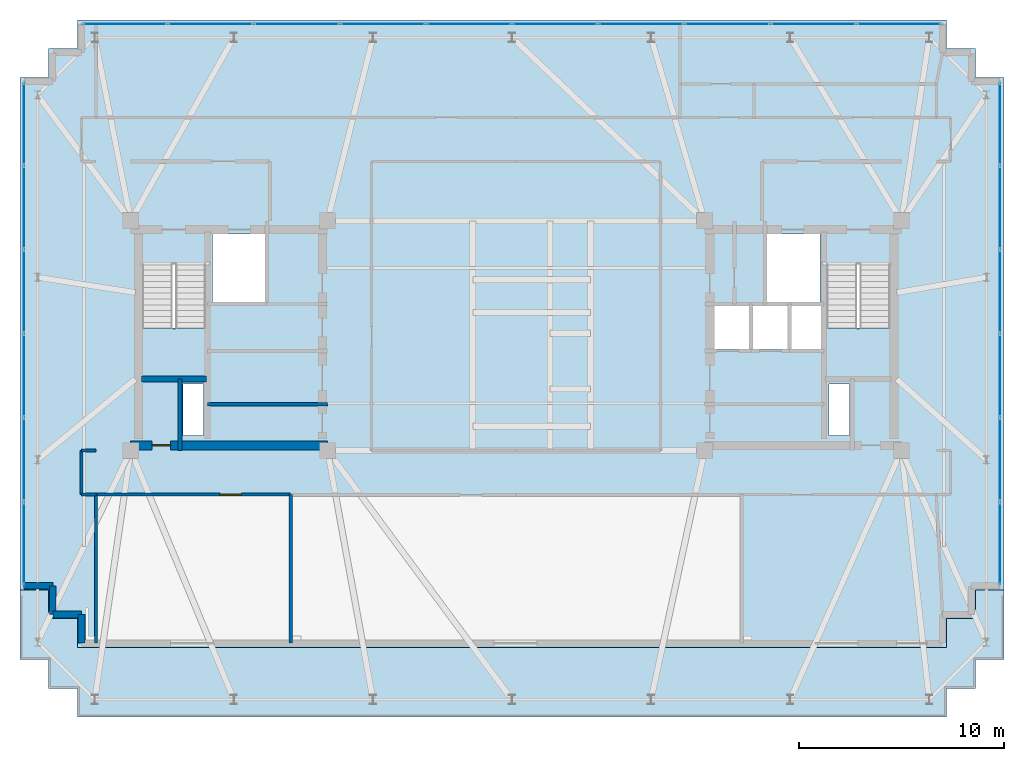
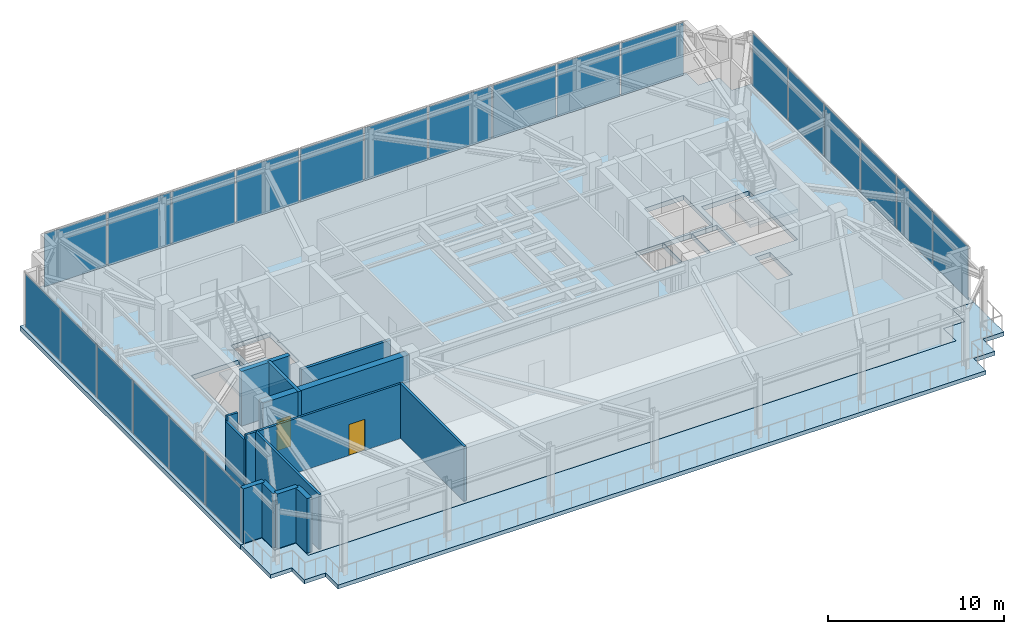
# One storey, part 18 of 24: 22 plates, 14 walls, 4 slabs, 2 doors, 2 openings, 5 elements without a shape of their own.
"""IFC4 building model written with IfcOpenShell, lengths in metres."""

import ifcopenshell
import ifcopenshell.guid

model = None  # the IFC model being written
_history = None  # IfcOwnerHistory: only IFC2X3 demands one
_inside = {}  # id of a spatial element -> (the spatial element, [elements in it])
_under = {}  # id of a project, library or spatial element -> (it, [spatial elements below it])
_declared = {}  # id of a project -> (the project, [libraries it declares])
_typed = {}  # id of a type object -> (the type object, [elements of that type])
_made_of = {}  # id of a material, layer set ... -> (it, [elements and type objects made of it])


def new_model(schema):
    """Start an empty IFC model of exactly this schema.

    Asked for "IFC4X3", IfcOpenShell would pick the latest addendum, in which some entities
    have other attributes; the version numbers below select the first issue.
    IFC2X3 requires an IfcOwnerHistory on every rooted entity: one is made here for all.
    """
    global model, _history
    if schema == "IFC4X3":
        model = ifcopenshell.file(schema_version=(4, 3, 0, 0))
    else:
        model = ifcopenshell.file(schema=schema)
    _inside.clear()
    _under.clear()
    _declared.clear()
    _typed.clear()
    _made_of.clear()
    _history = None
    if model.schema == "IFC2X3":
        org = make("IfcOrganization", Name="unknown")
        user = make(
            "IfcPersonAndOrganization",
            ThePerson=make("IfcPerson", FamilyName="unknown"),
            TheOrganization=org,
        )
        app = make(
            "IfcApplication",
            ApplicationDeveloper=org,
            Version="unknown",
            ApplicationFullName="unknown",
            ApplicationIdentifier="unknown",
        )
        _history = make(
            "IfcOwnerHistory",
            OwningUser=user,
            OwningApplication=app,
            ChangeAction="ADDED",
            CreationDate=0,
        )
    return model


def make(cls, **values):
    """One entity of the class cls with the attributes given. An attribute that is None is left unset."""
    return model.create_entity(
        cls, **{name: value for name, value in values.items() if value is not None}
    )


def rooted(cls, **values):
    """An entity with a GlobalId (a new one), such as an element, a storey or a relation."""
    return make(cls, GlobalId=ifcopenshell.guid.new(), OwnerHistory=_history, **values)


def si_unit(unit_type, name, prefix=None):
    """IfcSIUnit, for example si_unit("LENGTHUNIT", "METRE", prefix="MILLI")."""
    return make("IfcSIUnit", UnitType=unit_type, Prefix=prefix, Name=name)


def assignment(units):
    """IfcUnitAssignment: the units of a project."""
    return None if units is None else make("IfcUnitAssignment", Units=units)


def point(xyz):
    """IfcCartesianPoint."""
    return None if xyz is None else make("IfcCartesianPoint", Coordinates=xyz)


def direction(xyz):
    """IfcDirection."""
    return None if xyz is None else make("IfcDirection", DirectionRatios=xyz)


def frame(location, z_axis=None, x_axis=None):
    """IfcAxis2Placement3D, a coordinate frame: its origin and axes. An axis left out is left unset."""
    return make(
        "IfcAxis2Placement3D",
        Location=point(location),
        Axis=direction(z_axis),
        RefDirection=direction(x_axis),
    )


def frame_2d(location, x_axis=None):
    """IfcAxis2Placement2D, a coordinate frame in the plane: its origin and x axis."""
    return make(
        "IfcAxis2Placement2D", Location=point(location), RefDirection=direction(x_axis)
    )


def origin():
    """The frame at (0, 0, 0) with its axes left unset."""
    return frame((0.0, 0.0, 0.0))


def origin_2d():
    """The frame at (0, 0) in the plane with its x axis left unset."""
    return frame_2d((0.0, 0.0))


def place(relative_to, where):
    """IfcLocalPlacement: puts the frame where relative to a parent placement (None: the world)."""
    return make(
        "IfcLocalPlacement", PlacementRelTo=relative_to, RelativePlacement=where
    )


def context(
    kind, dimensions, precision=None, world=None, true_north=None, identifier=None
):
    """IfcGeometricRepresentationContext, for example the 3D "Model" context."""
    return make(
        "IfcGeometricRepresentationContext",
        ContextIdentifier=identifier,
        ContextType=kind,
        CoordinateSpaceDimension=dimensions,
        Precision=precision,
        WorldCoordinateSystem=world,
        TrueNorth=true_north,
    )


def subcontext(parent, identifier, kind, view, scale=None):
    """IfcGeometricRepresentationSubContext, for example "Body" below "Model"."""
    return make(
        "IfcGeometricRepresentationSubContext",
        ContextIdentifier=identifier,
        ContextType=kind,
        ParentContext=parent,
        TargetScale=scale,
        TargetView=view,
    )


def project(units=None, contexts=None):
    """IfcProject with its units and contexts."""
    return rooted(
        "IfcProject",
        Name="project",
        RepresentationContexts=contexts,
        UnitsInContext=assignment(units),
    )


def spatial(cls, under=None, at=None, **own):
    """A site, building, storey or space (cls), placed at a placement, below another one or the project."""
    s = rooted(cls, ObjectPlacement=at, **own)
    if under is not None:
        _under.setdefault(under.id(), (under, []))[1].append(s)
    return s


def polyline(points):
    """IfcPolyline through the points."""
    return make("IfcPolyline", Points=[point(p) for p in points])


def profile(cls, at=None, kind="AREA", **sizes):
    """A parametric profile (cls). Its sizes go by their IFC names, for example OverallWidth=200.0."""
    return make(cls, ProfileType=kind, Position=at, **sizes)


def rectangle(**sizes):
    """IfcRectangleProfileDef."""
    return profile("IfcRectangleProfileDef", **sizes)


def outline(outer, holes=None, kind="AREA"):
    """IfcArbitraryClosedProfileDef: a profile drawn as a closed curve; with holes, ...WithVoids."""
    if holes is None:
        return make("IfcArbitraryClosedProfileDef", ProfileType=kind, OuterCurve=outer)
    return make(
        "IfcArbitraryProfileDefWithVoids",
        ProfileType=kind,
        OuterCurve=outer,
        InnerCurves=holes,
    )


def extrude(swept, where, along, depth):
    """IfcExtrudedAreaSolid: the profile swept, set in the frame where, extruded along a direction by depth."""
    return make(
        "IfcExtrudedAreaSolid",
        SweptArea=swept,
        Position=where,
        ExtrudedDirection=direction(along),
        Depth=depth,
    )


def shape(context_of_items, identifier, shape_type, items):
    """IfcShapeRepresentation: the items that make up one representation, for example the "Body"."""
    return make(
        "IfcShapeRepresentation",
        ContextOfItems=context_of_items,
        RepresentationIdentifier=identifier,
        RepresentationType=shape_type,
        Items=items,
    )


def material(Name=None, Category=None):
    """IfcMaterial."""
    return make("IfcMaterial", Name=Name, Category=Category)


def layer(
    of_material, thickness, ventilated=None, Name=None, Category=None, Priority=None
):
    """IfcMaterialLayer: one layer of a wall or slab, of a material (None: an air gap)."""
    return make(
        "IfcMaterialLayer",
        Material=of_material,
        LayerThickness=thickness,
        IsVentilated=ventilated,
        Name=Name,
        Category=Category,
        Priority=Priority,
    )


def layer_set(layers, Name=None):
    """IfcMaterialLayerSet."""
    return make("IfcMaterialLayerSet", MaterialLayers=layers, LayerSetName=Name)


def made_of(thing, what):
    """Note that an element or type object is made of a material, layer set ...; save() writes the relation."""
    if what is not None:
        _made_of.setdefault(what.id(), (what, []))[1].append(thing)
    return thing


def type_object(cls, material=None, **own):
    """A type object (cls), such as IfcWallType, which elements share."""
    return made_of(rooted(cls, **own), material)


def element(
    cls,
    number,
    at=None,
    inside=None,
    cuts=None,
    type_object=None,
    material=None,
    context=None,
    identifier="Body",
    shape_type=None,
    held_by="IfcProductDefinitionShape",
    body=None,
    shapes=None,
    **own,
):
    """One element of the class cls, such as IfcWall. Its Tag is "e" and its number.

    at: its placement. inside: the storey or other place that contains it. cuts: it is an
    opening in that element (IfcRelVoidsElement). A single representation is given by context,
    identifier, shape_type and body (its items); several are given by shapes. held_by: the class
    of the entity that holds the representations. save() writes the other relations.
    """
    e = rooted(cls, Tag="e%d" % number, ObjectPlacement=at, **own)
    if body is not None:
        shapes = [shape(context, identifier, shape_type, body)]
    if shapes is not None:
        e.Representation = make(held_by, Representations=shapes)
    if inside is not None:
        _inside.setdefault(inside.id(), (inside, []))[1].append(e)
    if cuts is not None:
        rooted(
            "IfcRelVoidsElement", RelatingBuildingElement=cuts, RelatedOpeningElement=e
        )
    if type_object is not None:
        _typed.setdefault(type_object.id(), (type_object, []))[1].append(e)
    return made_of(e, material)


def fill(opening, filler):
    """IfcRelFillsElement: the door or window that sits in an opening."""
    return rooted(
        "IfcRelFillsElement",
        RelatingOpeningElement=opening,
        RelatedBuildingElement=filler,
    )


def aggregate(whole, parts):
    """IfcRelAggregates: a whole, such as a stair, and the parts it consists of."""
    return rooted("IfcRelAggregates", RelatingObject=whole, RelatedObjects=parts)


def save(model, path):
    """Write the relations noted so far, then the file.

    IfcRelAggregates (storeys below a building ...), IfcRelContainedInSpatialStructure (elements
    in a storey), IfcRelDefinesByType, IfcRelAssociatesMaterial and IfcRelDeclares: one each for
    every whole, place, type object, material and project.
    """
    for whole, parts in _under.values():
        aggregate(whole, parts)
    for where, things in _inside.values():
        rooted(
            "IfcRelContainedInSpatialStructure",
            RelatedElements=things,
            RelatingStructure=where,
        )
    for kind, things in _typed.values():
        rooted("IfcRelDefinesByType", RelatedObjects=things, RelatingType=kind)
    for what, things in _made_of.values():
        rooted("IfcRelAssociatesMaterial", RelatedObjects=things, RelatingMaterial=what)
    for by, libraries in _declared.values():
        rooted("IfcRelDeclares", RelatingContext=by, RelatedDefinitions=libraries)
    model.write(path)


model = new_model("IFC4")

# Units and contexts
model_context = context("Model", 3, precision=1e-05, world=origin(), true_north=direction((0.0, 1.0)))
body_context = subcontext(model_context, "Body", "Model", "MODEL_VIEW")
ifc_project = project(units=[si_unit("LENGTHUNIT", "METRE"), si_unit("AREAUNIT", "SQUARE_METRE"), si_unit("VOLUMEUNIT", "CUBIC_METRE"), si_unit("PLANEANGLEUNIT", "RADIAN"), si_unit("MASSUNIT", "GRAM", prefix="KILO")], contexts=[model_context])

# Site, building, storey
site_placement = place(None, origin())
site = spatial("IfcSite", under=ifc_project, at=site_placement, CompositionType="ELEMENT")
building_placement = place(site_placement, origin())
building = spatial("IfcBuilding", under=site, at=building_placement, Name="Qobustan Lattice House", CompositionType="ELEMENT")
storey_placement = place(building_placement, frame((0.0, 0.0, 261.800048828125)))
storey = spatial("IfcBuildingStorey", under=building, at=storey_placement, Name="L74", CompositionType="ELEMENT", Elevation=261.800048828125)

# Curtain wall, plates
ifc_material_1 = material(Name="Anodised aluminium and low-E glazing", Category="aluminium")
ifc_layer_1 = layer(ifc_material_1, 0.219970703125)
ifc_layer_set_1 = layer_set([ifc_layer_1], Name="Anodised aluminium and low-E glazing")
curtain_wall_type = type_object("IfcCurtainWallType", Name="CW-OBS-01", PredefinedType="USERDEFINED", material=ifc_layer_set_1)
curtain_wall_1_placement = place(storey_placement, origin())
curtain_wall_1 = element("IfcCurtainWall", 1, at=curtain_wall_1_placement, inside=storey, type_object=curtain_wall_type, Name="L74 W panoramic observation curtain wall", ObjectType="CURTAIN WALL", PredefinedType="USERDEFINED")
ifc_material_2 = material(Name="Clear low-E laminated glass", Category="glass")
ifc_layer_2 = layer(ifc_material_2, 0.031982421875)
ifc_layer_set_2 = layer_set([ifc_layer_2], Name="Clear low-E laminated glass")
plate_type = type_object("IfcPlateType", Name="CWP-VISION-32", PredefinedType="CURTAIN_PANEL", material=ifc_layer_set_2)
plate_1_placement = place(storey_placement, frame((-24.0, -10.1298828125, 0.06494140625), z_axis=(0.0, 0.0, 1.0), x_axis=(0.0, 1.0, 0.0)))
plate_1 = element("IfcPlate", 2, at=plate_1_placement, type_object=plate_type, Name="CW-OB panel 1.1", PredefinedType="CURTAIN_PANEL", context=body_context, shape_type="SweptSolid", body=[
    extrude(rectangle(XDim=3.97998046875, YDim=0.031982421875, at=origin_2d()), origin(), (0.0, 0.0, 1.0), 3.64990234375),
])
plate_2_placement = place(storey_placement, frame((-24.0, -6.050048828125, 0.06494140625), z_axis=(0.0, 0.0, 1.0), x_axis=(0.0, 1.0, 0.0)))
plate_2 = element("IfcPlate", 3, at=plate_2_placement, type_object=plate_type, Name="CW-OB panel 2.1", PredefinedType="CURTAIN_PANEL", context=body_context, shape_type="SweptSolid", body=[
    extrude(rectangle(XDim=4.02001953125, YDim=0.031982421875, at=origin_2d()), origin(), (0.0, 0.0, 1.0), 3.64990234375),
])
plate_3_placement = place(storey_placement, frame((-24.0, -1.949951171875, 0.06494140625), z_axis=(0.0, 0.0, 1.0), x_axis=(0.0, 1.0, 0.0)))
plate_3 = element("IfcPlate", 4, at=plate_3_placement, type_object=plate_type, Name="CW-OB panel 3.1", PredefinedType="CURTAIN_PANEL", context=body_context, shape_type="SweptSolid", body=[
    extrude(rectangle(XDim=4.02001953125, YDim=0.031982421875, at=origin_2d()), origin(), (0.0, 0.0, 1.0), 3.64990234375),
])
plate_4_placement = place(storey_placement, frame((-24.0, 2.14990234375, 0.06494140625), z_axis=(0.0, 0.0, 1.0), x_axis=(0.0, 1.0, 0.0)))
plate_4 = element("IfcPlate", 5, at=plate_4_placement, type_object=plate_type, Name="CW-OB panel 4.1", PredefinedType="CURTAIN_PANEL", context=body_context, shape_type="SweptSolid", body=[
    extrude(rectangle(XDim=4.02001953125, YDim=0.031982421875, at=origin_2d()), origin(), (0.0, 0.0, 1.0), 3.64990234375),
])
plate_5_placement = place(storey_placement, frame((-24.0, 6.25, 0.06494140625), z_axis=(0.0, 0.0, 1.0), x_axis=(0.0, 1.0, 0.0)))
plate_5 = element("IfcPlate", 6, at=plate_5_placement, type_object=plate_type, Name="CW-OB panel 5.1", PredefinedType="CURTAIN_PANEL", context=body_context, shape_type="SweptSolid", body=[
    extrude(rectangle(XDim=4.02001953125, YDim=0.031982421875, at=origin_2d()), origin(), (0.0, 0.0, 1.0), 3.64990234375),
])
plate_6_placement = place(storey_placement, frame((-24.0, 10.330078125, 0.06494140625), z_axis=(0.0, 0.0, 1.0), x_axis=(0.0, 1.0, 0.0)))
plate_6 = element("IfcPlate", 7, at=plate_6_placement, type_object=plate_type, Name="CW-OB panel 6.1", PredefinedType="CURTAIN_PANEL", context=body_context, shape_type="SweptSolid", body=[
    extrude(rectangle(XDim=3.97998046875, YDim=0.031982421875, at=origin_2d()), origin(), (0.0, 0.0, 1.0), 3.64990234375),
])
aggregate(curtain_wall_1, [plate_1, plate_2, plate_3, plate_4, plate_5, plate_6])

curtain_wall_2_placement = place(storey_placement, origin())
curtain_wall_2 = element("IfcCurtainWall", 8, at=curtain_wall_2_placement, inside=storey, type_object=curtain_wall_type, Name="L74 N panoramic observation curtain wall", ObjectType="CURTAIN WALL", PredefinedType="USERDEFINED")
plate_7_placement = place(storey_placement, frame((-19.080078125, 15.199951171875, 0.06494140625), z_axis=(0.0, 0.0, 1.0), x_axis=(1.0, 0.0, 0.0)))
plate_7 = element("IfcPlate", 9, at=plate_7_placement, type_object=plate_type, Name="CW-OB panel 1.1", PredefinedType="CURTAIN_PANEL", context=body_context, shape_type="SweptSolid", body=[
    extrude(rectangle(XDim=4.080078125, YDim=0.031982421875, at=origin_2d()), origin(), (0.0, 0.0, 1.0), 3.64990234375),
])
plate_8_placement = place(storey_placement, frame((-14.89990234375, 15.199951171875, 0.06494140625), z_axis=(0.0, 0.0, 1.0), x_axis=(1.0, 0.0, 0.0)))
plate_8 = element("IfcPlate", 10, at=plate_8_placement, type_object=plate_type, Name="CW-OB panel 2.1", PredefinedType="CURTAIN_PANEL", context=body_context, shape_type="SweptSolid", body=[
    extrude(rectangle(XDim=4.1201171875, YDim=0.031982421875, at=origin_2d()), origin(), (0.0, 0.0, 1.0), 3.64990234375),
])
plate_9_placement = place(storey_placement, frame((-10.699951171875, 15.199951171875, 0.06494140625), z_axis=(0.0, 0.0, 1.0), x_axis=(1.0, 0.0, 0.0)))
plate_9 = element("IfcPlate", 11, at=plate_9_placement, type_object=plate_type, Name="CW-OB panel 3.1", PredefinedType="CURTAIN_PANEL", context=body_context, shape_type="SweptSolid", body=[
    extrude(rectangle(XDim=4.1201171875, YDim=0.031982421875, at=origin_2d()), origin(), (0.0, 0.0, 1.0), 3.64990234375),
])
plate_10_placement = place(storey_placement, frame((-6.5, 15.199951171875, 0.06494140625), z_axis=(0.0, 0.0, 1.0), x_axis=(1.0, 0.0, 0.0)))
plate_10 = element("IfcPlate", 12, at=plate_10_placement, type_object=plate_type, Name="CW-OB panel 4.1", PredefinedType="CURTAIN_PANEL", context=body_context, shape_type="SweptSolid", body=[
    extrude(rectangle(XDim=4.1201171875, YDim=0.031982421875, at=origin_2d()), origin(), (0.0, 0.0, 1.0), 3.64990234375),
])
plate_11_placement = place(storey_placement, frame((-2.300048828125, 15.199951171875, 0.06494140625), z_axis=(0.0, 0.0, 1.0), x_axis=(1.0, 0.0, 0.0)))
plate_11 = element("IfcPlate", 13, at=plate_11_placement, type_object=plate_type, Name="CW-OB panel 5.1", PredefinedType="CURTAIN_PANEL", context=body_context, shape_type="SweptSolid", body=[
    extrude(rectangle(XDim=4.1201171875, YDim=0.031982421875, at=origin_2d()), origin(), (0.0, 0.0, 1.0), 3.64990234375),
])
plate_12_placement = place(storey_placement, frame((1.89990234375, 15.199951171875, 0.06494140625), z_axis=(0.0, 0.0, 1.0), x_axis=(1.0, 0.0, 0.0)))
plate_12 = element("IfcPlate", 14, at=plate_12_placement, type_object=plate_type, Name="CW-OB panel 6.1", PredefinedType="CURTAIN_PANEL", context=body_context, shape_type="SweptSolid", body=[
    extrude(rectangle(XDim=4.1201171875, YDim=0.031982421875, at=origin_2d()), origin(), (0.0, 0.0, 1.0), 3.64990234375),
])
plate_13_placement = place(storey_placement, frame((6.10009765625, 15.199951171875, 0.06494140625), z_axis=(0.0, 0.0, 1.0), x_axis=(1.0, 0.0, 0.0)))
plate_13 = element("IfcPlate", 15, at=plate_13_placement, type_object=plate_type, Name="CW-OB panel 7.1", PredefinedType="CURTAIN_PANEL", context=body_context, shape_type="SweptSolid", body=[
    extrude(rectangle(XDim=4.1201171875, YDim=0.031982421875, at=origin_2d()), origin(), (0.0, 0.0, 1.0), 3.64990234375),
])
plate_14_placement = place(storey_placement, frame((10.300048828125, 15.199951171875, 0.06494140625), z_axis=(0.0, 0.0, 1.0), x_axis=(1.0, 0.0, 0.0)))
plate_14 = element("IfcPlate", 16, at=plate_14_placement, type_object=plate_type, Name="CW-OB panel 8.1", PredefinedType="CURTAIN_PANEL", context=body_context, shape_type="SweptSolid", body=[
    extrude(rectangle(XDim=4.1201171875, YDim=0.031982421875, at=origin_2d()), origin(), (0.0, 0.0, 1.0), 3.64990234375),
])
plate_15_placement = place(storey_placement, frame((14.5, 15.199951171875, 0.06494140625), z_axis=(0.0, 0.0, 1.0), x_axis=(1.0, 0.0, 0.0)))
plate_15 = element("IfcPlate", 17, at=plate_15_placement, type_object=plate_type, Name="CW-OB panel 9.1", PredefinedType="CURTAIN_PANEL", context=body_context, shape_type="SweptSolid", body=[
    extrude(rectangle(XDim=4.1201171875, YDim=0.031982421875, at=origin_2d()), origin(), (0.0, 0.0, 1.0), 3.64990234375),
])
plate_16_placement = place(storey_placement, frame((18.679931640625, 15.199951171875, 0.06494140625), z_axis=(0.0, 0.0, 1.0), x_axis=(1.0, 0.0, 0.0)))
plate_16 = element("IfcPlate", 18, at=plate_16_placement, type_object=plate_type, Name="CW-OB panel 10.1", PredefinedType="CURTAIN_PANEL", context=body_context, shape_type="SweptSolid", body=[
    extrude(rectangle(XDim=4.080078125, YDim=0.031982421875, at=origin_2d()), origin(), (0.0, 0.0, 1.0), 3.64990234375),
])
aggregate(curtain_wall_2, [plate_7, plate_8, plate_9, plate_10, plate_11, plate_12, plate_13, plate_14, plate_15, plate_16])

curtain_wall_3_placement = place(storey_placement, origin())
curtain_wall_3 = element("IfcCurtainWall", 19, at=curtain_wall_3_placement, inside=storey, type_object=curtain_wall_type, Name="L74 E panoramic observation curtain wall", ObjectType="CURTAIN WALL", PredefinedType="USERDEFINED")
plate_17_placement = place(storey_placement, frame((23.60009765625, 10.330078125, 0.06494140625), z_axis=(0.0, 0.0, 1.0), x_axis=(0.0, -1.0, 0.0)))
plate_17 = element("IfcPlate", 20, at=plate_17_placement, type_object=plate_type, Name="CW-OB panel 1.1", PredefinedType="CURTAIN_PANEL", context=body_context, shape_type="SweptSolid", body=[
    extrude(rectangle(XDim=3.97998046875, YDim=0.031982421875, at=origin_2d()), origin(), (0.0, 0.0, 1.0), 3.64990234375),
])
plate_18_placement = place(storey_placement, frame((23.60009765625, 6.25, 0.06494140625), z_axis=(0.0, 0.0, 1.0), x_axis=(0.0, -1.0, 0.0)))
plate_18 = element("IfcPlate", 21, at=plate_18_placement, type_object=plate_type, Name="CW-OB panel 2.1", PredefinedType="CURTAIN_PANEL", context=body_context, shape_type="SweptSolid", body=[
    extrude(rectangle(XDim=4.02001953125, YDim=0.031982421875, at=origin_2d()), origin(), (0.0, 0.0, 1.0), 3.64990234375),
])
plate_19_placement = place(storey_placement, frame((23.60009765625, 2.14990234375, 0.06494140625), z_axis=(0.0, 0.0, 1.0), x_axis=(0.0, -1.0, 0.0)))
plate_19 = element("IfcPlate", 22, at=plate_19_placement, type_object=plate_type, Name="CW-OB panel 3.1", PredefinedType="CURTAIN_PANEL", context=body_context, shape_type="SweptSolid", body=[
    extrude(rectangle(XDim=4.02001953125, YDim=0.031982421875, at=origin_2d()), origin(), (0.0, 0.0, 1.0), 3.64990234375),
])
plate_20_placement = place(storey_placement, frame((23.60009765625, -1.949951171875, 0.06494140625), z_axis=(0.0, 0.0, 1.0), x_axis=(0.0, -1.0, 0.0)))
plate_20 = element("IfcPlate", 23, at=plate_20_placement, type_object=plate_type, Name="CW-OB panel 4.1", PredefinedType="CURTAIN_PANEL", context=body_context, shape_type="SweptSolid", body=[
    extrude(rectangle(XDim=4.02001953125, YDim=0.031982421875, at=origin_2d()), origin(), (0.0, 0.0, 1.0), 3.64990234375),
])
plate_21_placement = place(storey_placement, frame((23.60009765625, -6.050048828125, 0.06494140625), z_axis=(0.0, 0.0, 1.0), x_axis=(0.0, -1.0, 0.0)))
plate_21 = element("IfcPlate", 24, at=plate_21_placement, type_object=plate_type, Name="CW-OB panel 5.1", PredefinedType="CURTAIN_PANEL", context=body_context, shape_type="SweptSolid", body=[
    extrude(rectangle(XDim=4.02001953125, YDim=0.031982421875, at=origin_2d()), origin(), (0.0, 0.0, 1.0), 3.64990234375),
])
plate_22_placement = place(storey_placement, frame((23.60009765625, -10.1298828125, 0.06494140625), z_axis=(0.0, 0.0, 1.0), x_axis=(0.0, -1.0, 0.0)))
plate_22 = element("IfcPlate", 25, at=plate_22_placement, type_object=plate_type, Name="CW-OB panel 6.1", PredefinedType="CURTAIN_PANEL", context=body_context, shape_type="SweptSolid", body=[
    extrude(rectangle(XDim=3.97998046875, YDim=0.031982421875, at=origin_2d()), origin(), (0.0, 0.0, 1.0), 3.64990234375),
])
aggregate(curtain_wall_3, [plate_17, plate_18, plate_19, plate_20, plate_21, plate_22])

# Slab
ifc_material_3 = material(Name="Concrete C45/55", Category="concrete")
ifc_layer_3 = layer(ifc_material_3, 0.320068359375)
ifc_layer_set_3 = layer_set([ifc_layer_3], Name="Concrete C45/55")
slab_type_1 = type_object("IfcSlabType", Name="SLB-FLR-320", PredefinedType="FLOOR", material=ifc_layer_set_3)
slab_1_placement = place(storey_placement, frame((0.0, 0.0, -0.320068359375)))
element("IfcSlab", 26, at=slab_1_placement, inside=storey, type_object=slab_type_1, Name="L74 structural floor slab", PredefinedType="FLOOR", context=body_context, shape_type="SweptSolid", body=[
    extrude(outline(polyline([(-21.39990234375, -15.199951171875), (21.0, -15.199951171875), (21.0, -13.800048828125), (22.39990234375, -13.800048828125), (22.39990234375, -12.39990234375), (23.800048828125, -12.39990234375), (23.800048828125, 12.60009765625), (22.39990234375, 12.60009765625), (22.39990234375, 14.0), (21.0, 14.0), (21.0, 15.39990234375), (-21.39990234375, 15.39990234375), (-21.39990234375, 14.0), (-22.800048828125, 14.0), (-22.800048828125, 12.60009765625), (-24.199951171875, 12.60009765625), (-24.199951171875, -12.39990234375), (-22.800048828125, -12.39990234375), (-22.800048828125, -13.800048828125), (-21.39990234375, -13.800048828125), (-21.39990234375, -15.199951171875)]), holes=[polyline([(-18.25, -2.050048828125), (-18.25, 3.489990234375), (-15.1298828125, 3.489990234375), (-15.1298828125, -2.050048828125), (-18.25, -2.050048828125)]), polyline([(15.1298828125, -2.050048828125), (15.1298828125, 3.489990234375), (18.25, 3.489990234375), (18.25, -2.050048828125), (15.1298828125, -2.050048828125)]), polyline([(-14.820068359375, 1.64990234375), (-14.820068359375, 4.9599609375), (-12.25, 4.9599609375), (-12.25, 1.64990234375), (-14.820068359375, 1.64990234375)]), polyline([(12.25, 1.64990234375), (12.25, 4.9599609375), (14.820068359375, 4.9599609375), (14.820068359375, 1.64990234375), (12.25, 1.64990234375)]), polyline([(-16.260009765625, -4.8798828125), (-16.260009765625, -2.360107421875), (-15.260009765625, -2.360107421875), (-15.260009765625, -4.8798828125), (-16.260009765625, -4.8798828125)]), polyline([(15.260009765625, -4.8798828125), (15.260009765625, -2.360107421875), (16.260009765625, -2.360107421875), (16.260009765625, -4.8798828125), (15.260009765625, -4.8798828125)]), polyline([(13.360107421875, -0.679931640625), (13.360107421875, 1.47998046875), (14.97998046875, 1.47998046875), (14.97998046875, -0.679931640625), (13.360107421875, -0.679931640625)]), polyline([(9.6201171875, -0.679931640625), (9.6201171875, 1.47998046875), (11.43994140625, 1.47998046875), (11.43994140625, -0.679931640625), (9.6201171875, -0.679931640625)]), polyline([(11.5, -0.679931640625), (11.5, 1.47998046875), (13.320068359375, 1.47998046875), (13.320068359375, -0.679931640625), (11.5, -0.679931640625)])]), origin(), (0.0, 0.0, 1.0), 0.320068359375),
])

# Stair, slab
ifc_material_4 = material(Name="Concrete C40/50", Category="concrete")
stair_type = type_object("IfcStairType", Name="STR-CORE-DOGLEG", PredefinedType="HALF_TURN_STAIR", material=ifc_material_4)
stair_1_placement = place(storey_placement, origin())
stair_1 = element("IfcStair", 27, at=stair_1_placement, inside=storey, type_object=stair_type, Name="L74 West protected exit stair ST-W1", PredefinedType="HALF_TURN_STAIR")
ifc_material_5 = material(Name="Concrete C40/50", Category="concrete")
ifc_layer_4 = layer(ifc_material_5, 0.199951171875)
ifc_layer_set_4 = layer_set([ifc_layer_4], Name="Concrete C40/50")
slab_type_2 = type_object("IfcSlabType", Name="SLB-LANDING-200", PredefinedType="LANDING", material=ifc_layer_set_4)
slab_2_placement = place(storey_placement, frame((0.0, 0.0, 1.89990234375)))
slab_2 = element("IfcSlab", 28, at=slab_2_placement, type_object=slab_type_2, Name="ST-W1 landing 1", PredefinedType="LANDING", context=body_context, shape_type="SweptSolid", body=[
    extrude(outline(polyline([(-18.25, 0.364990234375), (-18.25, -2.050048828125), (-15.1298828125, -2.050048828125), (-15.1298828125, 0.364990234375), (-18.25, 0.364990234375)])), origin(), (0.0, 0.0, 1.0), 0.199951171875),
])
aggregate(stair_1, [slab_2])

stair_2_placement = place(storey_placement, origin())
stair_2 = element("IfcStair", 29, at=stair_2_placement, inside=storey, type_object=stair_type, Name="L74 East protected exit stair ST-E1", PredefinedType="HALF_TURN_STAIR")
slab_3_placement = place(storey_placement, frame((0.0, 0.0, 1.89990234375)))
slab_3 = element("IfcSlab", 30, at=slab_3_placement, type_object=slab_type_2, Name="ST-E1 landing 1", PredefinedType="LANDING", context=body_context, shape_type="SweptSolid", body=[
    extrude(outline(polyline([(15.1298828125, 0.364990234375), (15.1298828125, -2.050048828125), (18.25, -2.050048828125), (18.25, 0.364990234375), (15.1298828125, 0.364990234375)])), origin(), (0.0, 0.0, 1.0), 0.199951171875),
])
aggregate(stair_2, [slab_3])

# Slab
ifc_material_6 = material(Name="Concrete C40/50", Category="concrete")
ifc_layer_5 = layer(ifc_material_6, 0.27001953125)
ifc_layer_set_5 = layer_set([ifc_layer_5], Name="Concrete C40/50")
slab_type_3 = type_object("IfcSlabType", Name="SLB-TER-270", PredefinedType="FLOOR", material=ifc_layer_set_5)
slab_4_placement = place(storey_placement, frame((0.0, 0.0, -0.27001953125)))
element("IfcSlab", 31, at=slab_4_placement, inside=storey, type_object=slab_type_3, Name="L74 Caspian panoramic observation terrace slab", PredefinedType="FLOOR", context=body_context, shape_type="SweptSolid", body=[
    extrude(outline(polyline([(23.800048828125, -12.39990234375), (22.39990234375, -12.39990234375), (22.39990234375, -13.800048828125), (21.0, -13.800048828125), (21.0, -15.199951171875), (-21.39990234375, -15.199951171875), (-21.39990234375, -13.800048828125), (-22.800048828125, -13.800048828125), (-22.800048828125, -12.39990234375), (-24.199951171875, -12.39990234375), (-24.199951171875, -15.800048828125), (-22.800048828125, -15.800048828125), (-22.800048828125, -17.199951171875), (-21.39990234375, -17.199951171875), (-21.39990234375, -18.60009765625), (21.0, -18.60009765625), (21.0, -17.199951171875), (22.39990234375, -17.199951171875), (22.39990234375, -15.800048828125), (23.800048828125, -15.800048828125), (23.800048828125, -12.39990234375)])), origin(), (0.0, 0.0, 1.0), 0.27001953125),
])

# Wall, opening, door
ifc_material_7 = material(Name="Concrete C50/60", Category="concrete")
ifc_layer_6 = layer(ifc_material_7, 0.43994140625)
ifc_layer_set_6 = layer_set([ifc_layer_6], Name="Concrete C50/60")
wall_type_1 = type_object("IfcWallType", Name="WAL-CORE-440", PredefinedType="SHEAR", material=ifc_layer_set_6)
wall_1_placement = place(storey_placement, frame((-18.800048828125, -5.35009765625, 0.0), z_axis=(0.0, 0.0, 1.0), x_axis=(1.0, 0.0, 0.0)))
wall_1 = element("IfcWall", 32, at=wall_1_placement, inside=storey, type_object=wall_type_1, Name="L74 split-core shear wall CW-S", PredefinedType="SHEAR", context=body_context, shape_type="SweptSolid", body=[
    extrude(rectangle(XDim=9.60009765625, YDim=0.43994140625, at=frame_2d((4.800048828125, 0.0))), origin(), (0.0, 0.0, 1.0), 3.780029296875),
])
opening_1_placement = place(wall_1_placement, frame((1.050048828125, 0.0, 0.0)))
opening_1 = element("IfcOpeningElement", 33, at=opening_1_placement, cuts=wall_1, Name="Opening RD-01", PredefinedType="OPENING", context=body_context, shape_type="SweptSolid", body=[
    extrude(rectangle(XDim=0.89990234375, YDim=2.10009765625, at=frame_2d((0.449951171875, 1.050048828125))), frame((0.0, 0.22998046875, 0.0), z_axis=(0.0, -1.0, 0.0), x_axis=(1.0, 0.0, 0.0)), (0.0, 0.0, 1.0), 0.4599609375),
])
ifc_material_8 = material(Name="Persian walnut timber and steel frame door", Category="steel")
door_type_1 = type_object("IfcDoorType", Name="DOR-RISER-FD-900x2100", OperationType="NOTDEFINED", PredefinedType="DOOR", material=ifc_material_8)
door_1_placement = place(opening_1_placement, origin())
door_1 = element("IfcDoor", 34, at=door_1_placement, inside=storey, type_object=door_type_1, Name="L74 core service riser access door W", OperationType="SINGLE_SWING_LEFT", OverallHeight=2.10009765625, OverallWidth=0.89990234375, PredefinedType="DOOR", context=body_context, shape_type="SweptSolid", body=[
    extrude(rectangle(XDim=0.89990234375, YDim=2.10009765625, at=frame_2d((0.449951171875, 1.050048828125))), frame((0.0, 0.02490234375, 0.0), z_axis=(0.0, -1.0, 0.0), x_axis=(1.0, 0.0, 0.0)), (0.0, 0.0, 1.0), 0.050048828125),
])
fill(opening_1, door_1)

# Walls
ifc_material_9 = material(Name="Concrete C50/60", Category="concrete")
ifc_layer_7 = layer(ifc_material_9, 0.280029296875)
ifc_layer_set_7 = layer_set([ifc_layer_7], Name="Concrete C50/60")
wall_type_2 = type_object("IfcWallType", Name="WAL-CORE-SPINE-280", PredefinedType="SHEAR", material=ifc_layer_set_7)
wall_2_placement = place(storey_placement, frame((-18.280029296875, -2.110107421875, 0.0), z_axis=(0.0, 0.0, 1.0), x_axis=(1.0, 0.0, 0.0)))
element("IfcWall", 35, at=wall_2_placement, inside=storey, type_object=wall_type_2, Name="L74 split-core shear wall CW-ST", PredefinedType="SHEAR", context=body_context, shape_type="SweptSolid", body=[
    extrude(rectangle(XDim=3.179931640625, YDim=0.300048828125, at=frame_2d((1.58984375, 0.0))), origin(), (0.0, 0.0, 1.0), 3.780029296875),
])
ifc_material_10 = material(Name="Precast concrete C40/50", Category="concrete")
ifc_layer_8 = layer(ifc_material_10, 0.320068359375)
ifc_layer_set_8 = layer_set([ifc_layer_8], Name="Precast concrete C40/50")
wall_type_3 = type_object("IfcWallType", Name="WAL-EXT-STONE-320", PredefinedType="SOLIDWALL", material=ifc_layer_set_8)
wall_3_placement = place(storey_placement, frame((-21.199951171875, -15.0, 0.0), z_axis=(0.0, 0.0, 1.0), x_axis=(0.0, 1.0, 0.0)))
element("IfcWall", 36, at=wall_3_placement, inside=storey, type_object=wall_type_3, Name="L74 exterior limestone-clad wall 1", PredefinedType="SOLIDWALL", context=body_context, shape_type="SweptSolid", body=[
    extrude(rectangle(XDim=1.39990234375, YDim=0.320068359375, at=frame_2d((0.699951171875, 0.0))), origin(), (0.0, 0.0, 1.0), 3.780029296875),
])
for number, where, z_axis, x_axis, name in (
    (37, (-21.199951171875, -13.60009765625, 0.0), (0.0, 0.0, 1.0), (-1.0, 0.0, 0.0), "L74 exterior limestone-clad wall 2"),
    (38, (-22.60009765625, -13.60009765625, 0.0), (0.0, 0.0, 1.0), (0.0, 1.0, 0.0), "L74 exterior limestone-clad wall 3"),
):
    element("IfcWall", number, at=place(storey_placement, frame(where, z_axis=z_axis, x_axis=x_axis)), inside=storey, type_object=wall_type_3, Name=name, PredefinedType="SOLIDWALL", context=body_context, shape_type="SweptSolid", body=[
        extrude(rectangle(XDim=1.400146484375, YDim=0.320068359375, at=frame_2d((0.7001953125, 0.0))), origin(), (0.0, 0.0, 1.0), 3.780029296875),
    ])
wall_4_placement = place(storey_placement, frame((-22.60009765625, -12.199951171875, 0.0), z_axis=(0.0, 0.0, 1.0), x_axis=(-1.0, 0.0, 0.0)))
element("IfcWall", 39, at=wall_4_placement, inside=storey, type_object=wall_type_3, Name="L74 exterior limestone-clad wall 4", PredefinedType="SOLIDWALL", context=body_context, shape_type="SweptSolid", body=[
    extrude(rectangle(XDim=1.39990234375, YDim=0.320068359375, at=frame_2d((0.699951171875, 0.0))), origin(), (0.0, 0.0, 1.0), 3.780029296875),
])
ifc_material_11 = material(Name="Gypsum fireboard acoustic partition", Category="gypsum")
ifc_layer_9 = layer(ifc_material_11, 0.179931640625)
ifc_layer_set_9 = layer_set([ifc_layer_9], Name="Gypsum fireboard acoustic partition")
wall_type_4 = type_object("IfcWallType", Name="WAL-FIRE-180", PredefinedType="PARTITIONING", material=ifc_layer_set_9)
wall_5_placement = place(storey_placement, frame((-15.050048828125, -3.35009765625, 0.0), z_axis=(0.0, 0.0, 1.0), x_axis=(1.0, 0.0, 0.0)))
element("IfcWall", 40, at=wall_5_placement, inside=storey, type_object=wall_type_4, Name="L74 interior partition 7", PredefinedType="PARTITIONING", context=body_context, shape_type="SweptSolid", body=[
    extrude(rectangle(XDim=5.85009765625, YDim=0.179931640625, at=frame_2d((2.925048828125, 0.0))), origin(), (0.0, 0.0, 1.0), 3.494873046875),
])

# Wall, opening, door
ifc_material_12 = material(Name="Acoustic twin-stud gypsum partition", Category="gypsum")
ifc_layer_10 = layer(ifc_material_12, 0.14990234375)
ifc_layer_set_10 = layer_set([ifc_layer_10], Name="Acoustic twin-stud gypsum partition")
wall_type_5 = type_object("IfcWallType", Name="WAL-PART-150", PredefinedType="PARTITIONING", material=ifc_layer_set_10)
wall_6_placement = place(storey_placement, frame((-11.0, -7.75, 0.0), z_axis=(0.0, 0.0, 1.0), x_axis=(-1.0, 0.0, 0.0)))
wall_6 = element("IfcWall", 41, at=wall_6_placement, inside=storey, type_object=wall_type_5, Name="L74 interior partition 39", PredefinedType="PARTITIONING", context=body_context, shape_type="SweptSolid", body=[
    extrude(rectangle(XDim=9.5, YDim=0.14990234375, at=frame_2d((4.75, 0.0))), origin(), (0.0, 0.0, 1.0), 3.780029296875),
])
opening_2_placement = place(wall_6_placement, frame((2.402587890625, 0.0, 0.0)))
opening_2 = element("IfcOpeningElement", 42, at=opening_2_placement, cuts=wall_6, Name="Opening ID-02", PredefinedType="OPENING", context=body_context, shape_type="SweptSolid", body=[
    extrude(rectangle(XDim=1.050048828125, YDim=2.14990234375, at=frame_2d((0.52490234375, 1.074951171875))), frame((0.0, 0.0849609375, 0.0), z_axis=(0.0, -1.0, 0.0), x_axis=(1.0, 0.0, 0.0)), (0.0, 0.0, 1.0), 0.169921875),
])
ifc_material_13 = material(Name="Persian walnut timber and steel frame door", Category="steel")
door_type_2 = type_object("IfcDoorType", Name="DOR-STUDY-1050x2150", OperationType="NOTDEFINED", PredefinedType="DOOR", material=ifc_material_13)
door_2_placement = place(opening_2_placement, origin())
door_2 = element("IfcDoor", 43, at=door_2_placement, inside=storey, type_object=door_type_2, Name="L74 South-west floor corridor to South-west skyline study lounge door", OperationType="SINGLE_SWING_LEFT", OverallHeight=2.14990234375, OverallWidth=1.050048828125, PredefinedType="DOOR", context=body_context, shape_type="SweptSolid", body=[
    extrude(rectangle(XDim=1.050048828125, YDim=2.14990234375, at=frame_2d((0.52490234375, 1.074951171875))), frame((0.0, 0.02490234375, 0.0), z_axis=(0.0, -1.0, 0.0), x_axis=(1.0, 0.0, 0.0)), (0.0, 0.0, 1.0), 0.050048828125),
])
fill(opening_2, door_2)

# Walls
wall_7_placement = place(storey_placement, frame((-21.199951171875, -7.75, 0.0), z_axis=(0.0, 0.0, 1.0), x_axis=(0.0, 1.0, 0.0)))
element("IfcWall", 44, at=wall_7_placement, inside=storey, type_object=wall_type_5, Name="L74 interior partition 40", PredefinedType="PARTITIONING", context=body_context, shape_type="SweptSolid", body=[
    extrude(rectangle(XDim=2.14990234375, YDim=0.14990234375, at=frame_2d((1.074951171875, 0.0))), origin(), (0.0, 0.0, 1.0), 3.43505859375),
])
for number, where, z_axis, x_axis, name in (
    (45, (-20.5, -7.75, 0.0), (0.0, 0.0, 1.0), (-1.0, 0.0, 0.0), "L74 interior partition 41"),
    (46, (-21.199951171875, -5.60009765625, 0.0), (0.0, 0.0, 1.0), (1.0, 0.0, 0.0), "L74 interior partition 42"),
):
    element("IfcWall", number, at=place(storey_placement, frame(where, z_axis=z_axis, x_axis=x_axis)), inside=storey, type_object=wall_type_5, Name=name, PredefinedType="PARTITIONING", context=body_context, shape_type="SweptSolid", body=[
        extrude(rectangle(XDim=0.699951171875, YDim=0.14990234375, at=frame_2d((0.35009765625, 0.0))), origin(), (0.0, 0.0, 1.0), 3.780029296875),
    ])
wall_8_placement = place(storey_placement, frame((-20.5, -15.0, 0.0), z_axis=(0.0, 0.0, 1.0), x_axis=(0.0, 1.0, 0.0)))
element("IfcWall", 47, at=wall_8_placement, inside=storey, type_object=wall_type_5, Name="L74 interior partition 54", PredefinedType="PARTITIONING", context=body_context, shape_type="SweptSolid", body=[
    extrude(rectangle(XDim=7.25, YDim=0.14990234375, at=frame_2d((3.625, 0.0))), origin(), (0.0, 0.0, 1.0), 3.780029296875),
])
ifc_material_14 = material(Name="High-mass acoustic twin-stud partition", Category="gypsum")
ifc_layer_11 = layer(ifc_material_14, 0.1650390625)
ifc_layer_set_11 = layer_set([ifc_layer_11], Name="High-mass acoustic twin-stud partition")
wall_type_6 = type_object("IfcWallType", Name="WAL-PART-165", PredefinedType="PARTITIONING", material=ifc_layer_set_11)
wall_9_placement = place(storey_placement, frame((-11.0, -15.0, 0.0), z_axis=(0.0, 0.0, 1.0), x_axis=(0.0, 1.0, 0.0)))
element("IfcWall", 48, at=wall_9_placement, inside=storey, type_object=wall_type_6, Name="L74 interior partition 52", PredefinedType="PARTITIONING", context=body_context, shape_type="SweptSolid", body=[
    extrude(rectangle(XDim=7.25, YDim=0.1650390625, at=frame_2d((3.625, 0.0))), origin(), (0.0, 0.0, 1.0), 3.780029296875),
])
ifc_material_15 = material(Name="Concrete C40/50", Category="concrete")
ifc_layer_12 = layer(ifc_material_15, 0.199951171875)
ifc_layer_set_12 = layer_set([ifc_layer_12], Name="Concrete C40/50")
wall_type_7 = type_object("IfcWallType", Name="WAL-SHAFT-200", PredefinedType="PARTITIONING", material=ifc_layer_set_12)
wall_10_placement = place(storey_placement, frame((-16.39990234375, -5.60009765625, 0.0), z_axis=(0.0, 0.0, 1.0), x_axis=(0.0, 1.0, 0.0)))
element("IfcWall", 49, at=wall_10_placement, inside=storey, type_object=wall_type_7, Name="L74 interior partition 1", PredefinedType="PARTITIONING", context=body_context, shape_type="SweptSolid", body=[
    extrude(rectangle(XDim=3.489990234375, YDim=0.199951171875, at=frame_2d((1.7451171875, 0.0))), origin(), (0.0, 0.0, 1.0), 3.780029296875),
])

save(model, "model.ifc")
